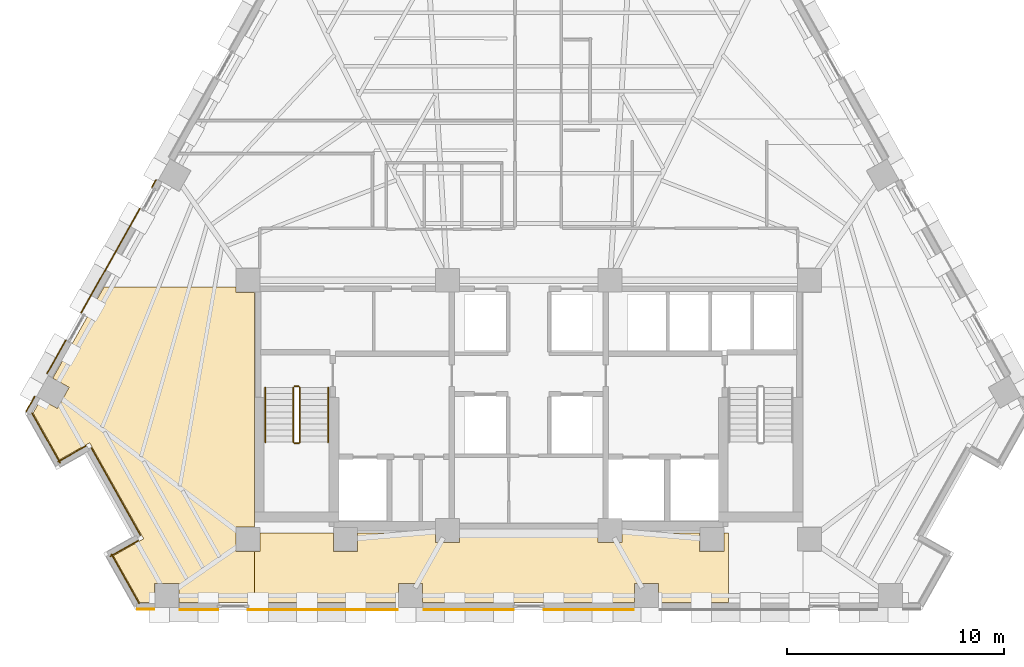
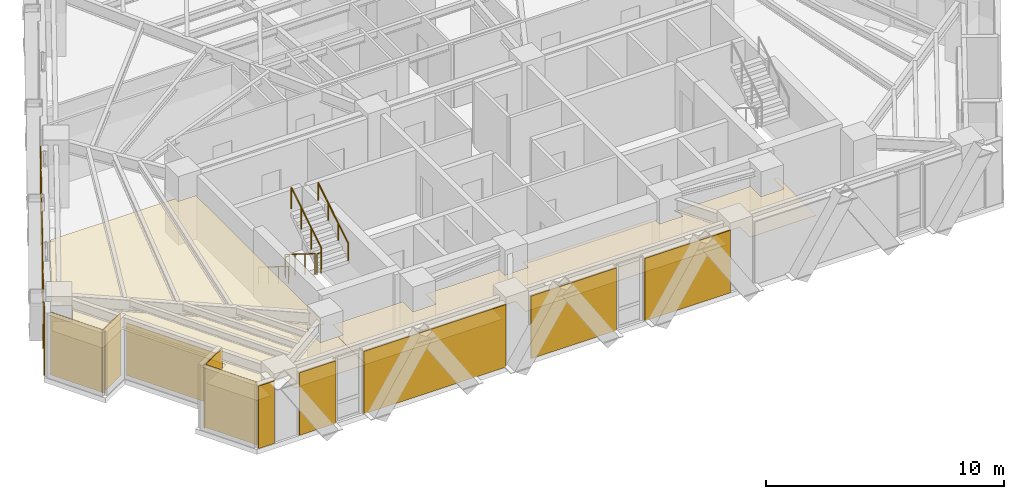
# One storey, part 10 of 13: 16 coverings, 6 railings.
"""IFC4 building model written with IfcOpenShell, lengths in metres."""

from ifc_helpers import new_model, si_unit, direction, frame, origin, origin_2d, place, context, subcontext, project, spatial, polyline, circle, outline, extrude, material, layer, layer_set, type_object, element, save


model = new_model("IFC4")

# Units and contexts
model_context = context("Model", 3, precision=1e-05, world=origin(), true_north=direction((0.0, 1.0)))
body_context = subcontext(model_context, "Body", "Model", "MODEL_VIEW")
ifc_project = project(units=[si_unit("LENGTHUNIT", "METRE"), si_unit("AREAUNIT", "SQUARE_METRE"), si_unit("VOLUMEUNIT", "CUBIC_METRE"), si_unit("PLANEANGLEUNIT", "RADIAN"), si_unit("MASSUNIT", "GRAM", prefix="KILO")], contexts=[model_context])

# Site, building, storey
site_placement = place(None, origin())
site = spatial("IfcSite", under=ifc_project, at=site_placement, CompositionType="ELEMENT")
building_placement = place(site_placement, origin())
building = spatial("IfcBuilding", under=site, at=building_placement, Name="Quenlor Broadcast Tower", CompositionType="ELEMENT")
storey_placement = place(building_placement, frame((0.0, 0.0, 105.5)))
storey = spatial("IfcBuildingStorey", under=building, at=storey_placement, Name="L28", CompositionType="ELEMENT", Elevation=105.5)

# Coverings
ifc_material_1 = material(Name="Acoustic Mineral Fibre Board", Category="other")
ifc_layer_1 = layer(ifc_material_1, 0.02490234375)
ifc_layer_set_1 = layer_set([ifc_layer_1], Name="Acoustic Perforated Mineral Tile Ceiling 25")
covering_type_1 = type_object("IfcCoveringType", Name="Acoustic Perforated Mineral Tile Ceiling 25", PredefinedType="CEILING", material=ifc_layer_set_1)
covering_1_placement = place(storey_placement, frame((0.0, 0.0, 2.22509765625)))
element("IfcCovering", 1, at=covering_1_placement, inside=storey, type_object=covering_type_1, Name="L28 Acoustic Ceiling L28-36-2", PredefinedType="CEILING", context=body_context, shape_type="SweptSolid", body=[
    extrude(outline(polyline([(-22.85693359375, -10.927978515625), (-22.49853515625, -10.290771484375), (-21.741943359375, -10.71630859375), (-21.19482421875, -9.74365234375), (-21.951416015625, -9.318115234375), (-19.58984375, -5.1201171875), (-13.508056640625, -5.1201171875), (-13.508056640625, -5.35791015625), (-12.64990234375, -5.35791015625), (-12.64990234375, -16.19189453125), (-13.508056640625, -16.19189453125), (-13.508056640625, -17.30810546875), (-12.64990234375, -17.30810546875), (-12.64990234375, -19.659912109375), (-16.134521484375, -19.659912109375), (-16.134521484375, -18.7919921875), (-17.25048828125, -18.7919921875), (-17.25048828125, -19.659912109375), (-17.9453125, -19.659912109375), (-19.15380859375, -17.510986328125), (-17.759521484375, -16.7265625), (-20.25, -12.299072265625), (-21.64453125, -13.08349609375), (-22.85693359375, -10.927978515625)])), origin(), (0.0, 0.0, 1.0), 0.02490234375),
])
covering_2_placement = place(storey_placement, frame((0.0, 0.0, 2.22509765625)))
element("IfcCovering", 2, at=covering_2_placement, inside=storey, type_object=covering_type_1, Name="L28 Acoustic Ceiling L28-36-3", PredefinedType="CEILING", context=body_context, shape_type="SweptSolid", body=[
    extrude(outline(polyline([(-12.39208984375, -17.30810546875), (-12.39208984375, -16.449951171875), (-9.008056640625, -16.449951171875), (-9.008056640625, -17.30810546875), (-7.89208984375, -17.30810546875), (-7.89208984375, -16.449951171875), (-4.30810546875, -16.449951171875), (-4.30810546875, -16.907958984375), (-3.19189453125, -16.907958984375), (-3.19189453125, -16.449951171875), (3.19189453125, -16.449951171875), (3.19189453125, -16.907958984375), (4.30810546875, -16.907958984375), (4.30810546875, -16.449951171875), (7.89208984375, -16.449951171875), (7.89208984375, -17.30810546875), (9.008056640625, -17.30810546875), (9.008056640625, -16.449951171875), (9.221923828125, -16.449951171875), (9.221923828125, -19.659912109375), (6.001220703125, -19.659912109375), (6.001220703125, -18.7919921875), (4.88525390625, -18.7919921875), (4.88525390625, -19.659912109375), (-4.88525390625, -19.659912109375), (-4.88525390625, -18.7919921875), (-6.001220703125, -18.7919921875), (-6.001220703125, -19.659912109375), (-12.64990234375, -19.659912109375), (-12.64990234375, -17.30810546875), (-12.39208984375, -17.30810546875)])), origin(), (0.0, 0.0, 1.0), 0.02490234375),
])
ifc_material_2 = material(Name="Architectural Terracotta Ceramic", Category="masonry")
ifc_layer_2 = layer(ifc_material_2, 0.044921875)
ifc_layer_set_2 = layer_set([ifc_layer_2], Name="Fluted Terracotta Rainscreen Cladding Panel")
covering_type_2 = type_object("IfcCoveringType", Name="Fluted Terracotta Rainscreen Cladding Panel", PredefinedType="CLADDING", material=ifc_layer_set_2)
covering_3_placement = place(storey_placement, frame((0.0, 0.0, 0.02001953125)))
element("IfcCovering", 3, at=covering_3_placement, inside=storey, type_object=covering_type_2, Name="L28 Terracotta Rainscreen Cladding L28-SHD-SS1", PredefinedType="CLADDING", context=body_context, shape_type="SweptSolid", body=[
    extrude(outline(polyline([(-17.277587890625, -19.951904296875), (-18.053955078125, -19.951904296875), (-18.053955078125, -19.9970703125), (-17.277587890625, -19.9970703125), (-17.277587890625, -19.951904296875)])), origin(), (0.0, 0.0, 1.0), 3.2099609375),
])
covering_4_placement = place(storey_placement, frame((0.0, 0.0, 0.02001953125)))
element("IfcCovering", 4, at=covering_4_placement, inside=storey, type_object=covering_type_2, Name="L28 Terracotta Rainscreen Cladding L28-SC-SP1", PredefinedType="CLADDING", context=body_context, shape_type="SweptSolid", body=[
    extrude(outline(polyline([(-6.048095703125, -19.971923828125), (-12.94873046875, -19.971923828125), (-12.94873046875, -20.01708984375), (-6.048095703125, -20.01708984375), (-6.048095703125, -19.971923828125)])), origin(), (0.0, 0.0, 1.0), 3.2099609375),
])
covering_5_placement = place(storey_placement, frame((0.0, 0.0, 0.02001953125)))
element("IfcCovering", 5, at=covering_5_placement, inside=storey, type_object=covering_type_2, Name="L28 Terracotta Rainscreen Cladding L28-SC-SP2", PredefinedType="CLADDING", context=body_context, shape_type="SweptSolid", body=[
    extrude(outline(polyline([(-14.32177734375, -19.971923828125), (-16.08740234375, -19.971923828125), (-16.08740234375, -20.01708984375), (-14.32177734375, -20.01708984375), (-14.32177734375, -19.971923828125)])), origin(), (0.0, 0.0, 1.0), 3.2099609375),
])
covering_6_placement = place(storey_placement, frame((0.0, 0.0, 0.02001953125)))
element("IfcCovering", 6, at=covering_6_placement, inside=storey, type_object=covering_type_2, Name="L28 Terracotta Rainscreen Cladding L28-S-SP1", PredefinedType="CLADDING", context=body_context, shape_type="SweptSolid", body=[
    extrude(outline(polyline([(4.84326171875, -19.971923828125), (0.6865234375, -19.971923828125), (0.6865234375, -20.01708984375), (4.84326171875, -20.01708984375), (4.84326171875, -19.971923828125)])), origin(), (0.0, 0.0, 1.0), 3.2099609375),
])
covering_7_placement = place(storey_placement, frame((0.0, 0.0, 0.02001953125)))
element("IfcCovering", 7, at=covering_7_placement, inside=storey, type_object=covering_type_2, Name="L28 Terracotta Rainscreen Cladding L28-S-SP2", PredefinedType="CLADDING", context=body_context, shape_type="SweptSolid", body=[
    extrude(outline(polyline([(-0.6865234375, -19.971923828125), (-4.84326171875, -19.971923828125), (-4.84326171875, -20.01708984375), (-0.6865234375, -20.01708984375), (-0.6865234375, -19.971923828125)])), origin(), (0.0, 0.0, 1.0), 3.2099609375),
])
covering_8_placement = place(storey_placement, frame((0.0, 0.0, 0.02001953125)))
element("IfcCovering", 8, at=covering_8_placement, inside=storey, type_object=covering_type_2, Name="L28 Terracotta Rainscreen Cladding L28-SHD-NWS0", PredefinedType="CLADDING", context=body_context, shape_type="SweptSolid", body=[
    extrude(outline(polyline([(-23.160888671875, -10.873046875), (-22.76611328125, -10.171142578125), (-22.805419921875, -10.149169921875), (-23.2001953125, -10.85107421875), (-23.160888671875, -10.873046875)])), origin(), (0.0, 0.0, 1.0), 3.2099609375),
])
covering_9_placement = place(storey_placement, frame((0.0, 0.0, 0.02001953125)))
element("IfcCovering", 9, at=covering_9_placement, inside=storey, type_object=covering_type_2, Name="L28 Terracotta Rainscreen Cladding L28-NWA-SP1", PredefinedType="CLADDING", context=body_context, shape_type="SweptSolid", body=[
    extrude(outline(polyline([(-22.2001953125, -9.1240234375), (-21.325927734375, -7.56982421875), (-21.364990234375, -7.5478515625), (-22.239501953125, -9.10205078125), (-22.2001953125, -9.1240234375)])), origin(), (0.0, 0.0, 1.0), 3.2099609375),
])
covering_10_placement = place(storey_placement, frame((0.0, 0.0, 0.02001953125)))
element("IfcCovering", 10, at=covering_10_placement, inside=storey, type_object=covering_type_2, Name="L28 Terracotta Rainscreen Cladding L28-NWA-SP2", PredefinedType="CLADDING", context=body_context, shape_type="SweptSolid", body=[
    extrude(outline(polyline([(-20.62744140625, -6.328369140625), (-17.912841796875, -1.502197265625), (-17.951904296875, -1.47998046875), (-20.666748046875, -6.306396484375), (-20.62744140625, -6.328369140625)])), origin(), (0.0, 0.0, 1.0), 3.2099609375),
])
covering_11_placement = place(storey_placement, frame((0.0, 0.0, 0.02001953125)))
element("IfcCovering", 11, at=covering_11_placement, inside=storey, type_object=covering_type_2, Name="L28 Terracotta Rainscreen Cladding L28-NWA-SP3", PredefinedType="CLADDING", context=body_context, shape_type="SweptSolid", body=[
    extrude(outline(polyline([(-17.36474609375, -0.528076171875), (-17.168701171875, -0.179443359375), (-17.2080078125, -0.157470703125), (-17.404052734375, -0.506103515625), (-17.36474609375, -0.528076171875)])), origin(), (0.0, 0.0, 1.0), 3.2099609375),
])
covering_12_placement = place(storey_placement, frame((0.0, 0.0, 0.02001953125)))
element("IfcCovering", 12, at=covering_12_placement, inside=storey, type_object=covering_type_2, Name="L28 Terracotta Rainscreen Cladding L28-CNR-12", PredefinedType="CLADDING", context=body_context, shape_type="SweptSolid", body=[
    extrude(outline(polyline([(-22.931396484375, -10.93408203125), (-21.630126953125, -13.24755859375), (-21.591064453125, -13.2255859375), (-22.892333984375, -10.912109375), (-22.931396484375, -10.93408203125)])), origin(), (0.0, 0.0, 1.0), 3.2099609375),
])
covering_13_placement = place(storey_placement, frame((0.0, 0.0, 0.02001953125)))
element("IfcCovering", 13, at=covering_13_placement, inside=storey, type_object=covering_type_2, Name="L28 Terracotta Rainscreen Cladding L28-CNR-13", PredefinedType="CLADDING", context=body_context, shape_type="SweptSolid", body=[
    extrude(outline(polyline([(-21.70703125, -13.19677734375), (-20.399658203125, -12.461181640625), (-20.421630859375, -12.422119140625), (-21.72900390625, -13.157470703125), (-21.70703125, -13.19677734375)])), origin(), (0.0, 0.0, 1.0), 3.2099609375),
])
covering_14_placement = place(storey_placement, frame((0.0, 0.0, 0.02001953125)))
element("IfcCovering", 14, at=covering_14_placement, inside=storey, type_object=covering_type_2, Name="L28 Terracotta Rainscreen Cladding L28-CNR-14", PredefinedType="CLADDING", context=body_context, shape_type="SweptSolid", body=[
    extrude(outline(polyline([(-20.186767578125, -12.55029296875), (-17.921630859375, -16.576904296875), (-17.88232421875, -16.554931640625), (-20.1474609375, -12.5283203125), (-20.186767578125, -12.55029296875)])), origin(), (0.0, 0.0, 1.0), 2.681884765625),
])
covering_15_placement = place(storey_placement, frame((0.0, 0.0, 0.02001953125)))
element("IfcCovering", 15, at=covering_15_placement, inside=storey, type_object=covering_type_2, Name="L28 Terracotta Rainscreen Cladding L28-CNR-15", PredefinedType="CLADDING", context=body_context, shape_type="SweptSolid", body=[
    extrude(outline(polyline([(-18.010498046875, -16.789794921875), (-19.31787109375, -17.525390625), (-19.2958984375, -17.564697265625), (-17.988525390625, -16.8291015625), (-18.010498046875, -16.789794921875)])), origin(), (0.0, 0.0, 1.0), 3.2099609375),
])
covering_16_placement = place(storey_placement, frame((0.0, 0.0, 0.02001953125)))
element("IfcCovering", 16, at=covering_16_placement, inside=storey, type_object=covering_type_2, Name="L28 Terracotta Rainscreen Cladding L28-CNR-16", PredefinedType="CLADDING", context=body_context, shape_type="SweptSolid", body=[
    extrude(outline(polyline([(-19.26708984375, -17.448486328125), (-17.987060546875, -19.72412109375), (-17.947998046875, -19.7021484375), (-19.227783203125, -17.426513671875), (-19.26708984375, -17.448486328125)])), origin(), (0.0, 0.0, 1.0), 3.2099609375),
])

# Railings
ifc_material_3 = material(Name="Anodised Aluminium", Category="aluminium")
railing_type_1 = type_object("IfcRailingType", Name="Stainless Aluminium Wall Handrail 900", PredefinedType="HANDRAIL", material=ifc_material_3)
railing_1_placement = place(storey_placement, frame((-12.14990234375, -9.75, 0.175048828125)))
element("IfcRailing", 17, at=railing_1_placement, inside=storey, type_object=railing_type_1, Name="L28 ST-1 stair handrail 1", PredefinedType="HANDRAIL", context=body_context, shape_type="SweptSolid", body=[
    extrude(circle(Radius=0.02392578125, at=origin_2d()), frame((0.0, 0.0, 0.8759765625), z_axis=(0.0, -0.848007534815, 0.529984170421), x_axis=(1.0, 0.0, 0.0)), (0.0, 0.0, 1.0), 2.9716796875),
    extrude(circle(Radius=0.02099609375, at=origin_2d()), origin(), (0.0, 0.0, 1.0), 0.851806640625),
    extrude(circle(Radius=0.02099609375, at=origin_2d()), frame((0.0, -0.840087890625, 0.52490234375)), (0.0, 0.0, 1.0), 0.851806640625),
    extrude(circle(Radius=0.02099609375, at=origin_2d()), frame((0.0, -1.679931640625, 1.050048828125)), (0.0, 0.0, 1.0), 0.851806640625),
    extrude(circle(Radius=0.02099609375, at=origin_2d()), frame((0.0, -2.52001953125, 1.574951171875)), (0.0, 0.0, 1.0), 0.851806640625),
])
railing_2_placement = place(storey_placement, frame((-9.25, -12.27001953125, 1.925048828125)))
element("IfcRailing", 18, at=railing_2_placement, inside=storey, type_object=railing_type_1, Name="L28 ST-1 stair handrail 2", PredefinedType="HANDRAIL", context=body_context, shape_type="SweptSolid", body=[
    extrude(circle(Radius=0.02392578125, at=origin_2d()), frame((0.0, 0.0, 0.8759765625), z_axis=(0.0, 0.848007534815, 0.529984170421), x_axis=(-1.0, 0.0, 0.0)), (0.0, 0.0, 1.0), 2.9716796875),
    extrude(circle(Radius=0.02099609375, at=origin_2d()), origin(), (0.0, 0.0, 1.0), 0.851806640625),
    extrude(circle(Radius=0.02099609375, at=origin_2d()), frame((0.0, 0.840087890625, 0.52490234375)), (0.0, 0.0, 1.0), 0.851806640625),
    extrude(circle(Radius=0.02099609375, at=origin_2d()), frame((0.0, 1.679931640625, 1.050048828125)), (0.0, 0.0, 1.0), 0.851806640625),
    extrude(circle(Radius=0.02099609375, at=origin_2d()), frame((0.0, 2.52001953125, 1.574951171875)), (0.0, 0.0, 1.0), 0.851806640625),
])
ifc_material_4 = material(Name="Steel S355", Category="steel")
railing_type_2 = type_object("IfcRailingType", Name="Tubular Steel S355 Stair Guardrail 1100", PredefinedType="BALUSTRADE", material=ifc_material_4)
railing_3_placement = place(storey_placement, frame((-10.85009765625, -9.75, 0.175048828125)))
element("IfcRailing", 19, at=railing_3_placement, inside=storey, type_object=railing_type_2, Name="L28 ST-1 stair guard 1", PredefinedType="BALUSTRADE", context=body_context, shape_type="SweptSolid", body=[
    extrude(circle(Radius=0.02392578125, at=origin_2d()), frame((0.0, 0.0, 1.076171875), z_axis=(0.0, -0.848007534815, 0.529984170421), x_axis=(1.0, 0.0, 0.0)), (0.0, 0.0, 1.0), 2.9716796875),
    extrude(circle(Radius=0.02099609375, at=origin_2d()), origin(), (0.0, 0.0, 1.0), 1.052001953125),
    extrude(circle(Radius=0.02099609375, at=origin_2d()), frame((0.0, -0.840087890625, 0.52490234375)), (0.0, 0.0, 1.0), 1.052001953125),
    extrude(circle(Radius=0.02099609375, at=origin_2d()), frame((0.0, -1.679931640625, 1.050048828125)), (0.0, 0.0, 1.0), 1.052001953125),
    extrude(circle(Radius=0.02099609375, at=origin_2d()), frame((0.0, -2.52001953125, 1.574951171875)), (0.0, 0.0, 1.0), 1.052001953125),
])
railing_4_placement = place(storey_placement, frame((-10.800048828125, -12.320068359375, 1.75)))
element("IfcRailing", 20, at=railing_4_placement, inside=storey, type_object=railing_type_2, Name="L28 ST-1 stair guard 2", PredefinedType="BALUSTRADE", context=body_context, shape_type="SweptSolid", body=[
    extrude(circle(Radius=0.02392578125, at=origin_2d()), frame((0.0, 0.0, 1.076171875), z_axis=(1.0, 0.0, 0.0), x_axis=(0.0, 1.0, 0.0)), (0.0, 0.0, 1.0), 0.199951171875),
    extrude(circle(Radius=0.02099609375, at=origin_2d()), origin(), (0.0, 0.0, 1.0), 1.052001953125),
    extrude(circle(Radius=0.02099609375, at=origin_2d()), frame((0.199951171875, 0.0, 0.0)), (0.0, 0.0, 1.0), 1.052001953125),
])
railing_5_placement = place(storey_placement, frame((-10.550048828125, -12.27001953125, 1.925048828125)))
element("IfcRailing", 21, at=railing_5_placement, inside=storey, type_object=railing_type_2, Name="L28 ST-1 stair guard 3", PredefinedType="BALUSTRADE", context=body_context, shape_type="SweptSolid", body=[
    extrude(circle(Radius=0.02392578125, at=origin_2d()), frame((0.0, 0.0, 1.076171875), z_axis=(0.0, 0.848007534815, 0.529984170421), x_axis=(-1.0, 0.0, 0.0)), (0.0, 0.0, 1.0), 2.9716796875),
    extrude(circle(Radius=0.02099609375, at=origin_2d()), origin(), (0.0, 0.0, 1.0), 1.052001953125),
    extrude(circle(Radius=0.02099609375, at=origin_2d()), frame((0.0, 0.840087890625, 0.52490234375)), (0.0, 0.0, 1.0), 1.052001953125),
    extrude(circle(Radius=0.02099609375, at=origin_2d()), frame((0.0, 1.679931640625, 1.050048828125)), (0.0, 0.0, 1.0), 1.052001953125),
    extrude(circle(Radius=0.02099609375, at=origin_2d()), frame((0.0, 2.52001953125, 1.574951171875)), (0.0, 0.0, 1.0), 1.052001953125),
])
railing_6_placement = place(storey_placement, frame((-10.800048828125, -9.699951171875, 0.0)))
element("IfcRailing", 22, at=railing_6_placement, inside=storey, type_object=railing_type_2, Name="L28 ST-1 stair guard 4", PredefinedType="BALUSTRADE", context=body_context, shape_type="SweptSolid", body=[
    extrude(circle(Radius=0.02392578125, at=origin_2d()), frame((0.0, 0.0, 1.076171875), z_axis=(1.0, 0.0, 0.0), x_axis=(0.0, 1.0, 0.0)), (0.0, 0.0, 1.0), 0.199951171875),
    extrude(circle(Radius=0.02099609375, at=origin_2d()), origin(), (0.0, 0.0, 1.0), 1.052001953125),
    extrude(circle(Radius=0.02099609375, at=origin_2d()), frame((0.199951171875, 0.0, 0.0)), (0.0, 0.0, 1.0), 1.052001953125),
])

save(model, "model.ifc")
